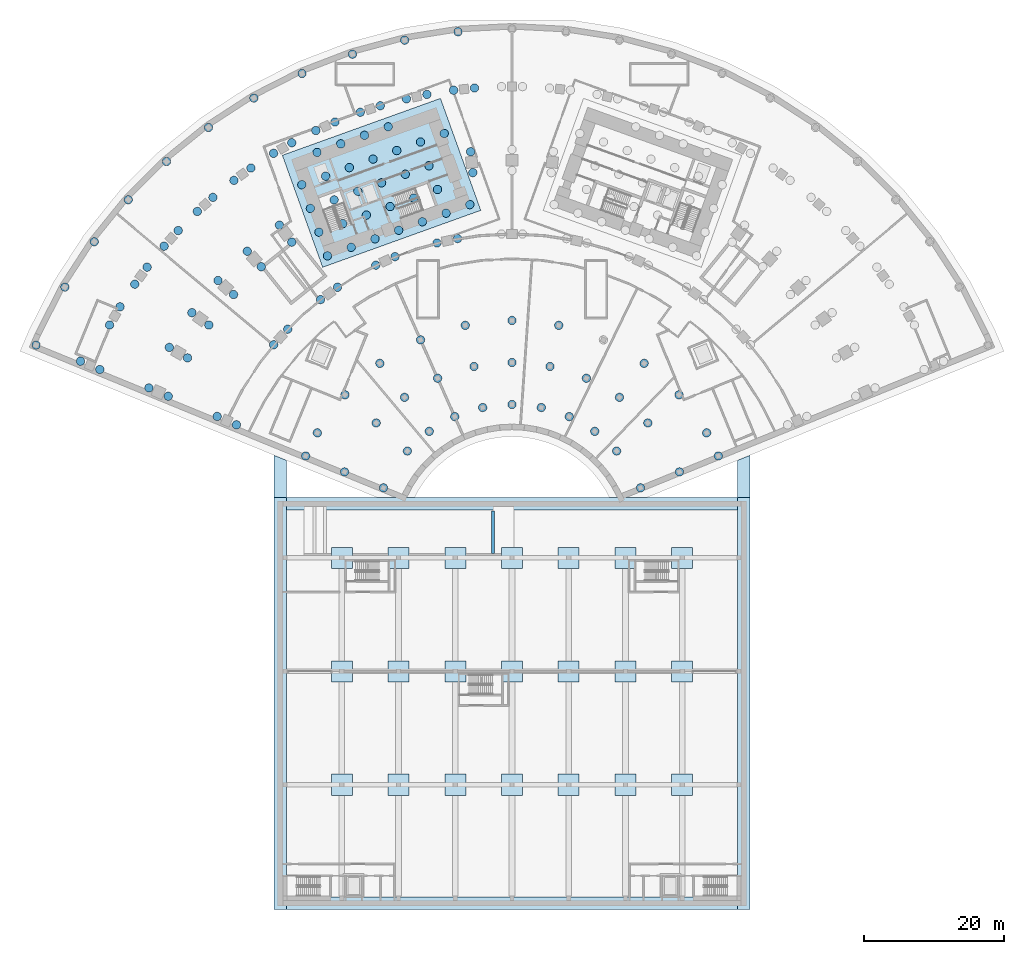
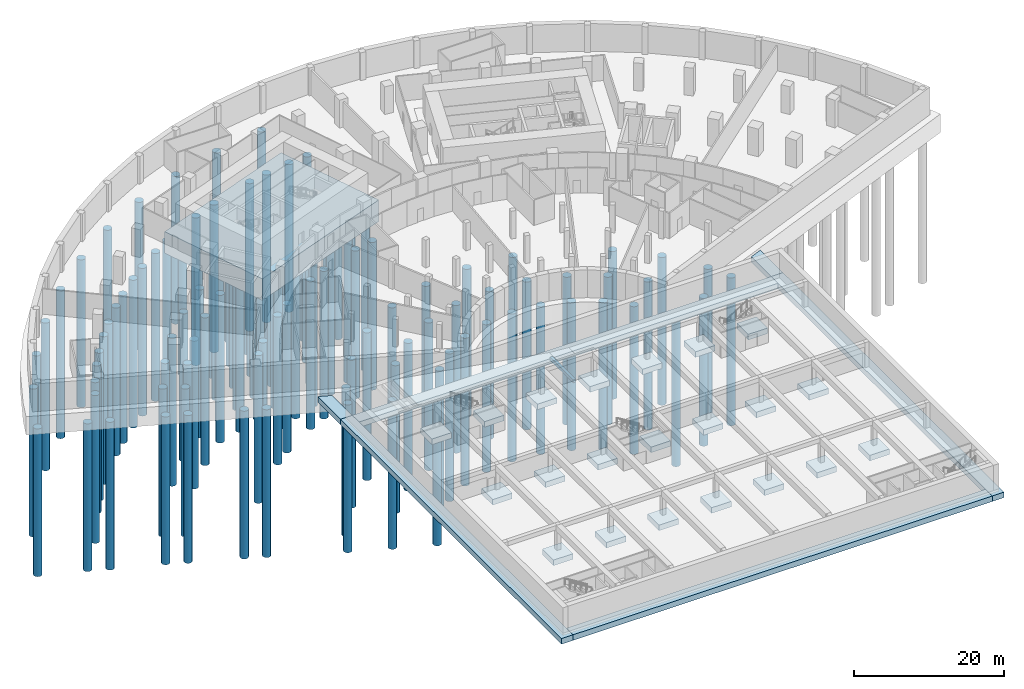
# One storey, part 1 of 25: 121 piles, 29 footings.
"""IFC4 building model written with IfcOpenShell, lengths in metres."""

from ifc_helpers import new_model, si_unit, direction, frame, origin, origin_2d, place, context, subcontext, project, spatial, polyline, circle, outline, extrude, material, layer, layer_set, material_profile, profile_set, type_object, element, save


model = new_model("IFC4")

# Units and contexts
model_context = context("Model", 3, precision=1e-05, world=origin(), true_north=direction((0.0, 1.0)))
body_context = subcontext(model_context, "Body", "Model", "MODEL_VIEW")
ifc_project = project(units=[si_unit("LENGTHUNIT", "METRE"), si_unit("AREAUNIT", "SQUARE_METRE"), si_unit("VOLUMEUNIT", "CUBIC_METRE"), si_unit("PLANEANGLEUNIT", "RADIAN"), si_unit("MASSUNIT", "GRAM", prefix="KILO")], contexts=[model_context])

# Site, building, storey
site_placement = place(None, origin())
site = spatial("IfcSite", under=ifc_project, at=site_placement, CompositionType="ELEMENT")
building_placement = place(site_placement, origin())
building = spatial("IfcBuilding", under=site, at=building_placement, Name="Stone Belt Terrace Tower", CompositionType="ELEMENT")
storey_placement = place(building_placement, frame((0.0, 0.0, -13.5)))
storey = spatial("IfcBuildingStorey", under=building, at=storey_placement, Name="B3", CompositionType="ELEMENT", Elevation=-13.5)

# Piles
ifc_material_1 = material(Name="Concrete B40", Category="concrete")
ifc_material_profile = material_profile(ifc_material_1, circle(Radius=0.60009765625, at=origin_2d()), Name="PILE D1200")
ifc_profile_set = profile_set([ifc_material_profile], Name="Concrete B40")
pile_type = type_object("IfcPileType", Name="Bored pile D1200", PredefinedType="BORED", material=ifc_profile_set)
for number, where, z_axis, x_axis, name in (
    (1, (-18.3544921875, 8.19287109375, -2.89990234375), (0.0, 0.0, -1.0), (1.0, 0.0, 0.0), "Pile 1"),
    (2, (-14.937255859375, 13.449462890625, -2.89990234375), (0.0, 0.0, -1.0), (1.0, 0.0, 0.0), "Pile 2"),
    (3, (-11.814453125, 16.26123046875, -2.89990234375), (0.0, 0.0, -1.0), (1.0, 0.0, 0.0), "Pile 3"),
    (4, (-8.17529296875, 18.3623046875, -2.89990234375), (0.0, 0.0, -1.0), (1.0, 0.0, 0.0), "Pile 4"),
    (5, (-4.178955078125, 19.660888671875, -2.89990234375), (0.0, 0.0, -1.0), (1.0, 0.0, 0.0), "Pile 5"),
    (6, (0.0, 20.10009765625, -2.89990234375), (0.0, 0.0, -1.0), (1.0, 0.0, 0.0), "Pile 6"),
    (7, (4.178955078125, 19.660888671875, -2.89990234375), (0.0, 0.0, -1.0), (1.0, 0.0, 0.0), "Pile 7"),
    (8, (8.17529296875, 18.3623046875, -2.89990234375), (0.0, 0.0, -1.0), (1.0, 0.0, 0.0), "Pile 8"),
    (9, (11.814453125, 16.26123046875, -2.89990234375), (0.0, 0.0, -1.0), (1.0, 0.0, 0.0), "Pile 9"),
    (10, (14.937255859375, 13.449462890625, -2.89990234375), (0.0, 0.0, -1.0), (1.0, 0.0, 0.0), "Pile 10"),
    (11, (18.3544921875, 8.19287109375, -2.89990234375), (0.0, 0.0, -1.0), (1.0, 0.0, 0.0), "Pile 11"),
    (12, (-23.908203125, 10.468994140625, -2.89990234375), (0.0, 0.0, -1.0), (1.0, 0.0, 0.0), "Pile 12"),
    (13, (-19.39599609375, 17.46435546875, -2.89990234375), (0.0, 0.0, -1.0), (1.0, 0.0, 0.0), "Pile 13"),
    (14, (-15.34130859375, 21.115234375, -2.89990234375), (0.0, 0.0, -1.0), (1.0, 0.0, 0.0), "Pile 14"),
    (15, (-10.61572265625, 23.843505859375, -2.89990234375), (0.0, 0.0, -1.0), (1.0, 0.0, 0.0), "Pile 15"),
    (16, (-5.426513671875, 25.52978515625, -2.89990234375), (0.0, 0.0, -1.0), (1.0, 0.0, 0.0), "Pile 16"),
    (17, (0.0, 26.10009765625, -2.89990234375), (0.0, 0.0, -1.0), (1.0, 0.0, 0.0), "Pile 17"),
    (18, (5.426513671875, 25.52978515625, -2.89990234375), (0.0, 0.0, -1.0), (1.0, 0.0, 0.0), "Pile 18"),
    (19, (10.61572265625, 23.843505859375, -2.89990234375), (0.0, 0.0, -1.0), (1.0, 0.0, 0.0), "Pile 19"),
    (20, (15.34130859375, 21.115234375, -2.89990234375), (0.0, 0.0, -1.0), (1.0, 0.0, 0.0), "Pile 20"),
    (21, (19.39599609375, 17.46435546875, -2.89990234375), (0.0, 0.0, -1.0), (1.0, 0.0, 0.0), "Pile 21"),
    (22, (23.908203125, 10.468994140625, -2.89990234375), (0.0, 0.0, -1.0), (1.0, 0.0, 0.0), "Pile 22"),
    (23, (-29.46142578125, 12.7451171875, -2.89990234375), (0.0, 0.0, -1.0), (1.0, 0.0, 0.0), "Pile 23"),
    (24, (-27.79931640625, 16.050048828125, -2.89990234375), (0.0, 0.0, -1.0), (1.0, 0.0, 0.0), "Pile 24"),
    (25, (-23.85498046875, 21.47900390625, -2.89990234375), (0.0, 0.0, -1.0), (1.0, 0.0, 0.0), "Pile 25"),
    (26, (-18.867919921875, 25.969482421875, -2.89990234375), (0.0, 0.0, -1.0), (1.0, 0.0, 0.0), "Pile 26"),
    (27, (-13.05615234375, 29.32470703125, -2.89990234375), (0.0, 0.0, -1.0), (1.0, 0.0, 0.0), "Pile 27"),
    (28, (-6.674072265625, 31.3984375, -2.89990234375), (0.0, 0.0, -1.0), (1.0, 0.0, 0.0), "Pile 28"),
    (29, (0.0, 32.10009765625, -2.89990234375), (0.0, 0.0, -1.0), (1.0, 0.0, 0.0), "Pile 29"),
    (30, (6.674072265625, 31.3984375, -2.89990234375), (0.0, 0.0, -1.0), (1.0, 0.0, 0.0), "Pile 30"),
    (31, (18.867919921875, 25.969482421875, -2.89990234375), (0.0, 0.0, -1.0), (1.0, 0.0, 0.0), "Pile 32"),
    (32, (23.85498046875, 21.47900390625, -2.89990234375), (0.0, 0.0, -1.0), (1.0, 0.0, 0.0), "Pile 33"),
    (33, (27.79931640625, 16.050048828125, -2.89990234375), (0.0, 0.0, -1.0), (1.0, 0.0, 0.0), "Pile 34"),
    (34, (29.46142578125, 12.7451171875, -2.89990234375), (0.0, 0.0, -1.0), (1.0, 0.0, 0.0), "Pile 35"),
    (35, (-39.352783203125, 17.194091796875, -2.89990234375), (0.0, 0.0, -1.0), (1.0, 0.0, 0.0), "Pile 36"),
    (36, (-42.101806640625, 18.395263671875, -2.89990234375), (0.0, 0.0, -1.0), (1.0, 0.0, 0.0), "Pile 37"),
    (37, (-34.03271484375, 28.624755859375, -2.89990234375), (0.0, 0.0, -1.0), (1.0, 0.0, 0.0), "Pile 38"),
    (38, (-32.025390625, 30.854248046875, -2.89990234375), (0.0, 0.0, -1.0), (1.0, 0.0, 0.0), "Pile 39"),
    (39, (-27.337646484375, 35.0751953125, -2.89990234375), (0.0, 0.0, -1.0), (1.0, 0.0, 0.0), "Pile 40"),
    (40, (-24.91064453125, 36.83837890625, -2.89990234375), (0.0, 0.0, -1.0), (1.0, 0.0, 0.0), "Pile 41"),
    (41, (-19.44775390625, 39.992431640625, -2.89990234375), (0.0, 0.0, -1.0), (1.0, 0.0, 0.0), "Pile 42"),
    (42, (-16.70703125, 41.212646484375, -2.89990234375), (0.0, 0.0, -1.0), (1.0, 0.0, 0.0), "Pile 43"),
    (43, (-10.7080078125, 43.161865234375, -2.89990234375), (0.0, 0.0, -1.0), (1.0, 0.0, 0.0), "Pile 44"),
    (44, (-7.7734375, 43.78564453125, -2.89990234375), (0.0, 0.0, -1.0), (1.0, 0.0, 0.0), "Pile 45"),
    (45, (-49.089599609375, 21.27099609375, -2.89990234375), (0.0, 0.0, -1.0), (1.0, 0.0, 0.0), "Pile 58"),
    (46, (-51.84228515625, 22.4638671875, -2.89990234375), (0.0, 0.0, -1.0), (1.0, 0.0, 0.0), "Pile 59"),
    (47, (-46.33251953125, 26.75, -2.89990234375), (0.0, 0.0, -1.0), (1.0, 0.0, 0.0), "Pile 60"),
    (48, (-48.930419921875, 28.25, -2.89990234375), (0.0, 0.0, -1.0), (1.0, 0.0, 0.0), "Pile 61"),
    (49, (-43.282470703125, 31.446533203125, -2.89990234375), (0.0, 0.0, -1.0), (1.0, 0.0, 0.0), "Pile 62"),
    (50, (-45.70947265625, 33.2099609375, -2.89990234375), (0.0, 0.0, -1.0), (1.0, 0.0, 0.0), "Pile 63"),
    (51, (-39.75830078125, 35.798583984375, -2.89990234375), (0.0, 0.0, -1.0), (1.0, 0.0, 0.0), "Pile 64"),
    (52, (-41.98779296875, 37.805908203125, -2.89990234375), (0.0, 0.0, -1.0), (1.0, 0.0, 0.0), "Pile 65"),
    (53, (-35.798583984375, 39.75830078125, -2.89990234375), (0.0, 0.0, -1.0), (1.0, 0.0, 0.0), "Pile 66"),
    (54, (-37.805908203125, 41.98779296875, -2.89990234375), (0.0, 0.0, -1.0), (1.0, 0.0, 0.0), "Pile 67"),
    (55, (-31.446533203125, 43.282470703125, -2.89990234375), (0.0, 0.0, -1.0), (1.0, 0.0, 0.0), "Pile 68"),
    (56, (-33.2099609375, 45.70947265625, -2.89990234375), (0.0, 0.0, -1.0), (1.0, 0.0, 0.0), "Pile 69"),
    (57, (-5.59228515625, 53.206787109375, -2.89990234375), (0.0, 0.0, -1.0), (1.0, 0.0, 0.0), "Pile 70"),
    (58, (-5.906005859375, 56.1904296875, -2.89990234375), (0.0, 0.0, -1.0), (1.0, 0.0, 0.0), "Pile 71"),
    (59, (-58.862060546875, 25.0966796875, -2.89990234375), (0.0, 0.0, -1.0), (1.0, 0.0, 0.0), "Pile 88"),
    (60, (-61.62158203125, 26.273193359375, -2.89990234375), (0.0, 0.0, -1.0), (1.0, 0.0, 0.0), "Pile 89"),
    (61, (-57.465087890625, 31.4453125, -2.89990234375), (0.0, 0.0, -1.0), (1.0, 0.0, 0.0), "Pile 90"),
    (62, (-55.965087890625, 34.04345703125, -2.89990234375), (0.0, 0.0, -1.0), (1.0, 0.0, 0.0), "Pile 91"),
    (63, (-53.86328125, 37.27978515625, -2.89990234375), (0.0, 0.0, -1.0), (1.0, 0.0, 0.0), "Pile 92"),
    (64, (-52.099853515625, 39.706787109375, -2.89990234375), (0.0, 0.0, -1.0), (1.0, 0.0, 0.0), "Pile 93"),
    (65, (-49.67138671875, 42.705810546875, -2.89990234375), (0.0, 0.0, -1.0), (1.0, 0.0, 0.0), "Pile 94"),
    (66, (-47.6640625, 44.935302734375, -2.89990234375), (0.0, 0.0, -1.0), (1.0, 0.0, 0.0), "Pile 95"),
    (67, (-44.935302734375, 47.6640625, -2.89990234375), (0.0, 0.0, -1.0), (1.0, 0.0, 0.0), "Pile 96"),
    (68, (-42.705810546875, 49.67138671875, -2.89990234375), (0.0, 0.0, -1.0), (1.0, 0.0, 0.0), "Pile 97"),
    (69, (-39.706787109375, 52.099853515625, -2.89990234375), (0.0, 0.0, -1.0), (1.0, 0.0, 0.0), "Pile 98"),
    (70, (-37.27978515625, 53.86328125, -2.89990234375), (0.0, 0.0, -1.0), (1.0, 0.0, 0.0), "Pile 99"),
    (71, (-34.04345703125, 55.965087890625, -2.89990234375), (0.0, 0.0, -1.0), (1.0, 0.0, 0.0), "Pile 100"),
    (72, (-31.4453125, 57.465087890625, -2.89990234375), (0.0, 0.0, -1.0), (1.0, 0.0, 0.0), "Pile 101"),
    (73, (-28.007080078125, 59.216796875, -2.89990234375), (0.0, 0.0, -1.0), (1.0, 0.0, 0.0), "Pile 102"),
    (74, (-25.266357421875, 60.437255859375, -2.89990234375), (0.0, 0.0, -1.0), (1.0, 0.0, 0.0), "Pile 103"),
    (75, (-21.663818359375, 61.820068359375, -2.89990234375), (0.0, 0.0, -1.0), (1.0, 0.0, 0.0), "Pile 104"),
    (76, (-18.810546875, 62.7470703125, -2.89990234375), (0.0, 0.0, -1.0), (1.0, 0.0, 0.0), "Pile 105"),
    (77, (-15.0830078125, 63.745849609375, -2.89990234375), (0.0, 0.0, -1.0), (1.0, 0.0, 0.0), "Pile 106"),
    (78, (-12.148681640625, 64.36962890625, -2.89990234375), (0.0, 0.0, -1.0), (1.0, 0.0, 0.0), "Pile 107"),
    (79, (-8.337158203125, 64.973388671875, -2.89990234375), (0.0, 0.0, -1.0), (1.0, 0.0, 0.0), "Pile 108"),
    (80, (-5.353759765625, 65.286865234375, -2.89990234375), (0.0, 0.0, -1.0), (1.0, 0.0, 0.0), "Pile 109"),
    (81, (-67.96337890625, 28.57958984375, -2.89990234375), (0.0, 0.0, -1.0), (1.0, 0.0, 0.0), "Pile 134"),
    (82, (-63.85009765625, 36.864013671875, -2.89990234375), (0.0, 0.0, -1.0), (1.0, 0.0, 0.0), "Pile 135"),
    (83, (-59.647216796875, 43.336181640625, -2.89990234375), (0.0, 0.0, -1.0), (1.0, 0.0, 0.0), "Pile 136"),
    (84, (-54.79052734375, 49.33349609375, -2.89990234375), (0.0, 0.0, -1.0), (1.0, 0.0, 0.0), "Pile 137"),
    (85, (-49.33349609375, 54.79052734375, -2.89990234375), (0.0, 0.0, -1.0), (1.0, 0.0, 0.0), "Pile 138"),
    (86, (-43.336181640625, 59.647216796875, -2.89990234375), (0.0, 0.0, -1.0), (1.0, 0.0, 0.0), "Pile 139"),
    (87, (-36.864013671875, 63.85009765625, -2.89990234375), (0.0, 0.0, -1.0), (1.0, 0.0, 0.0), "Pile 140"),
    (88, (-29.98779296875, 67.353759765625, -2.89990234375), (0.0, 0.0, -1.0), (1.0, 0.0, 0.0), "Pile 141"),
    (89, (-22.783203125, 70.119384765625, -2.89990234375), (0.0, 0.0, -1.0), (1.0, 0.0, 0.0), "Pile 142"),
    (90, (-15.328857421875, 72.11669921875, -2.89990234375), (0.0, 0.0, -1.0), (1.0, 0.0, 0.0), "Pile 143"),
    (91, (-7.706787109375, 73.323974609375, -2.89990234375), (0.0, 0.0, -1.0), (1.0, 0.0, 0.0), "Pile 144"),
    (92, (-26.34814453125, 41.31884765625, -3.39990234375), (0.0, 0.0, -1.0), (1.0, 0.0, 0.0), "Pile 157"),
    (93, (-27.567138671875, 44.706298828125, -3.39990234375), (0.0, 0.0, -1.0), (1.0, 0.0, 0.0), "Pile 158"),
    (94, (-28.786376953125, 48.093505859375, -3.39990234375), (0.0, 0.0, -1.0), (1.0, 0.0, 0.0), "Pile 159"),
    (95, (-30.00537109375, 51.48095703125, -3.39990234375), (0.0, 0.0, -1.0), (1.0, 0.0, 0.0), "Pile 160"),
    (96, (-22.9609375, 42.5380859375, -3.39990234375), (0.0, 0.0, -1.0), (1.0, 0.0, 0.0), "Pile 161"),
    (97, (-24.179931640625, 45.92529296875, -3.39990234375), (0.0, 0.0, -1.0), (1.0, 0.0, 0.0), "Pile 162"),
    (98, (-25.39892578125, 49.3125, -3.39990234375), (0.0, 0.0, -1.0), (1.0, 0.0, 0.0), "Pile 163"),
    (99, (-26.617919921875, 52.699951171875, -3.39990234375), (0.0, 0.0, -1.0), (1.0, 0.0, 0.0), "Pile 164"),
    (100, (-27.837158203125, 56.087158203125, -3.39990234375), (0.0, 0.0, -1.0), (1.0, 0.0, 0.0), "Pile 165"),
    (101, (-19.573486328125, 43.757080078125, -3.39990234375), (0.0, 0.0, -1.0), (1.0, 0.0, 0.0), "Pile 166"),
    (102, (-20.79248046875, 47.144287109375, -3.39990234375), (0.0, 0.0, -1.0), (1.0, 0.0, 0.0), "Pile 167"),
    (103, (-22.01171875, 50.531494140625, -3.39990234375), (0.0, 0.0, -1.0), (1.0, 0.0, 0.0), "Pile 168"),
    (104, (-23.230712890625, 53.9189453125, -3.39990234375), (0.0, 0.0, -1.0), (1.0, 0.0, 0.0), "Pile 169"),
    (105, (-24.44970703125, 57.306396484375, -3.39990234375), (0.0, 0.0, -1.0), (1.0, 0.0, 0.0), "Pile 170"),
    (106, (-16.186279296875, 44.97607421875, -3.39990234375), (0.0, 0.0, -1.0), (1.0, 0.0, 0.0), "Pile 171"),
    (107, (-17.4052734375, 48.36328125, -3.39990234375), (0.0, 0.0, -1.0), (1.0, 0.0, 0.0), "Pile 172"),
    (108, (-18.624267578125, 51.750732421875, -3.39990234375), (0.0, 0.0, -1.0), (1.0, 0.0, 0.0), "Pile 173"),
    (109, (-19.843505859375, 55.137939453125, -3.39990234375), (0.0, 0.0, -1.0), (1.0, 0.0, 0.0), "Pile 174"),
    (110, (-21.0625, 58.525390625, -3.39990234375), (0.0, 0.0, -1.0), (1.0, 0.0, 0.0), "Pile 175"),
    (111, (-12.798828125, 46.195068359375, -3.39990234375), (0.0, 0.0, -1.0), (1.0, 0.0, 0.0), "Pile 176"),
    (112, (-14.01806640625, 49.58251953125, -3.39990234375), (0.0, 0.0, -1.0), (1.0, 0.0, 0.0), "Pile 177"),
    (113, (-15.237060546875, 52.9697265625, -3.39990234375), (0.0, 0.0, -1.0), (1.0, 0.0, 0.0), "Pile 178"),
    (114, (-16.4560546875, 56.357177734375, -3.39990234375), (0.0, 0.0, -1.0), (1.0, 0.0, 0.0), "Pile 179"),
    (115, (-17.675048828125, 59.744384765625, -3.39990234375), (0.0, 0.0, -1.0), (1.0, 0.0, 0.0), "Pile 180"),
    (116, (-9.41162109375, 47.4140625, -3.39990234375), (0.0, 0.0, -1.0), (1.0, 0.0, 0.0), "Pile 181"),
    (117, (-10.630615234375, 50.801513671875, -3.39990234375), (0.0, 0.0, -1.0), (1.0, 0.0, 0.0), "Pile 182"),
    (118, (-11.849609375, 54.188720703125, -3.39990234375), (0.0, 0.0, -1.0), (1.0, 0.0, 0.0), "Pile 183"),
    (119, (-13.06884765625, 57.576171875, -3.39990234375), (0.0, 0.0, -1.0), (1.0, 0.0, 0.0), "Pile 184"),
    (120, (-6.0244140625, 48.63330078125, -3.39990234375), (0.0, 0.0, -1.0), (1.0, 0.0, 0.0), "Pile 185"),
    (121, (-9.681396484375, 58.795166015625, -3.39990234375), (0.0, 0.0, -1.0), (1.0, 0.0, 0.0), "Pile 186"),
):
    element("IfcPile", number, at=place(storey_placement, frame(where, z_axis=z_axis, x_axis=x_axis)), inside=storey, type_object=pile_type, Name=name, PredefinedType="BORED", context=body_context, shape_type="SweptSolid", body=[
        extrude(circle(Radius=0.60009765625, at=origin_2d()), origin(), (0.0, 0.0, 1.0), 24.0),
    ])

# Footings
ifc_material_2 = material(Name="Concrete B30", Category="concrete")
ifc_layer_1 = layer(ifc_material_2, 0.5)
ifc_layer_set_1 = layer_set([ifc_layer_1], Name="Car park ramp bearing pad 400")
footing_type_1 = type_object("IfcFootingType", Name="Car park ramp bearing pad 400", PredefinedType="PAD_FOOTING", material=ifc_layer_set_1)
footing_1_placement = place(storey_placement, frame((0.0, 0.0, -0.550048828125)))
element("IfcFooting", 122, at=footing_1_placement, inside=storey, type_object=footing_type_1, Name="Car park ramp R2 B2 to B3 bearing pad", PredefinedType="PAD_FOOTING", context=body_context, shape_type="SweptSolid", body=[
    extrude(outline(polyline([(-2.89990234375, -1.199951171875), (-2.5, -1.199951171875), (-2.5, 4.898681640625), (-2.89990234375, 4.898681640625), (-2.89990234375, -1.199951171875)])), origin(), (0.0, 0.0, 1.0), 0.5),
])
ifc_layer_2 = layer(ifc_material_1, 3.5)
ifc_layer_set_2 = layer_set([ifc_layer_2], Name="Core pad 3500 B40")
footing_type_2 = type_object("IfcFootingType", Name="Core pad 3500 B40", PredefinedType="PILE_CAP", material=ifc_layer_set_2)
footing_2_placement = place(storey_placement, frame((0.0, 0.0, -3.5)))
element("IfcFooting", 123, at=footing_2_placement, inside=storey, type_object=footing_type_2, Name="Core A pad", PredefinedType="PILE_CAP", context=body_context, shape_type="SweptSolid", body=[
    extrude(outline(polyline([(-27.037109375, 39.689453125), (-4.455078125, 47.81640625), (-10.211669921875, 63.81201171875), (-32.793701171875, 55.68505859375), (-27.037109375, 39.689453125)])), origin(), (0.0, 0.0, 1.0), 3.5),
])
ifc_layer_3 = layer(ifc_material_2, 0.89990234375)
ifc_layer_set_3 = layer_set([ifc_layer_3], Name="Pad footing 3000")
footing_type_3 = type_object("IfcFootingType", Name="Pad footing 3000", PredefinedType="PAD_FOOTING", material=ifc_layer_set_3)
footing_3_placement = place(storey_placement, frame((0.0, 0.0, -1.300048828125)))
element("IfcFooting", 124, at=footing_3_placement, inside=storey, type_object=footing_type_3, Name="Pad footing 2C", PredefinedType="PAD_FOOTING", context=body_context, shape_type="SweptSolid", body=[
    extrude(outline(polyline([(-25.800048828125, -35.699951171875), (-22.800048828125, -35.699951171875), (-22.800048828125, -32.699951171875), (-25.800048828125, -32.699951171875), (-25.800048828125, -35.699951171875)])), origin(), (0.0, 0.0, 1.0), 0.900146484375),
])
footing_4_placement = place(storey_placement, frame((0.0, 0.0, -1.300048828125)))
element("IfcFooting", 125, at=footing_4_placement, inside=storey, type_object=footing_type_3, Name="Pad footing 2E", PredefinedType="PAD_FOOTING", context=body_context, shape_type="SweptSolid", body=[
    extrude(outline(polyline([(-25.800048828125, -19.5), (-22.800048828125, -19.5), (-22.800048828125, -16.5), (-25.800048828125, -16.5), (-25.800048828125, -19.5)])), origin(), (0.0, 0.0, 1.0), 0.900146484375),
])
footing_5_placement = place(storey_placement, frame((0.0, 0.0, -1.300048828125)))
element("IfcFooting", 126, at=footing_5_placement, inside=storey, type_object=footing_type_3, Name="Pad footing 2G", PredefinedType="PAD_FOOTING", context=body_context, shape_type="SweptSolid", body=[
    extrude(outline(polyline([(-25.800048828125, -3.300048828125), (-22.800048828125, -3.300048828125), (-22.800048828125, -0.300048828125), (-25.800048828125, -0.300048828125), (-25.800048828125, -3.300048828125)])), origin(), (0.0, 0.0, 1.0), 0.900146484375),
])
footing_6_placement = place(storey_placement, frame((0.0, 0.0, -1.300048828125)))
element("IfcFooting", 127, at=footing_6_placement, inside=storey, type_object=footing_type_3, Name="Pad footing 3C", PredefinedType="PAD_FOOTING", context=body_context, shape_type="SweptSolid", body=[
    extrude(outline(polyline([(-17.699951171875, -35.699951171875), (-14.699951171875, -35.699951171875), (-14.699951171875, -32.699951171875), (-17.699951171875, -32.699951171875), (-17.699951171875, -35.699951171875)])), origin(), (0.0, 0.0, 1.0), 0.900146484375),
])
footing_7_placement = place(storey_placement, frame((0.0, 0.0, -1.300048828125)))
element("IfcFooting", 128, at=footing_7_placement, inside=storey, type_object=footing_type_3, Name="Pad footing 3E", PredefinedType="PAD_FOOTING", context=body_context, shape_type="SweptSolid", body=[
    extrude(outline(polyline([(-17.699951171875, -19.5), (-14.699951171875, -19.5), (-14.699951171875, -16.5), (-17.699951171875, -16.5), (-17.699951171875, -19.5)])), origin(), (0.0, 0.0, 1.0), 0.900146484375),
])
footing_8_placement = place(storey_placement, frame((0.0, 0.0, -1.300048828125)))
element("IfcFooting", 129, at=footing_8_placement, inside=storey, type_object=footing_type_3, Name="Pad footing 3G", PredefinedType="PAD_FOOTING", context=body_context, shape_type="SweptSolid", body=[
    extrude(outline(polyline([(-17.699951171875, -3.300048828125), (-14.699951171875, -3.300048828125), (-14.699951171875, -0.300048828125), (-17.699951171875, -0.300048828125), (-17.699951171875, -3.300048828125)])), origin(), (0.0, 0.0, 1.0), 0.900146484375),
])
footing_9_placement = place(storey_placement, frame((0.0, 0.0, -1.300048828125)))
element("IfcFooting", 130, at=footing_9_placement, inside=storey, type_object=footing_type_3, Name="Pad footing 4C", PredefinedType="PAD_FOOTING", context=body_context, shape_type="SweptSolid", body=[
    extrude(outline(polyline([(-9.60009765625, -35.699951171875), (-6.60009765625, -35.699951171875), (-6.60009765625, -32.699951171875), (-9.60009765625, -32.699951171875), (-9.60009765625, -35.699951171875)])), origin(), (0.0, 0.0, 1.0), 0.900146484375),
])
footing_10_placement = place(storey_placement, frame((0.0, 0.0, -1.300048828125)))
element("IfcFooting", 131, at=footing_10_placement, inside=storey, type_object=footing_type_3, Name="Pad footing 4E", PredefinedType="PAD_FOOTING", context=body_context, shape_type="SweptSolid", body=[
    extrude(outline(polyline([(-9.60009765625, -19.5), (-6.60009765625, -19.5), (-6.60009765625, -16.5), (-9.60009765625, -16.5), (-9.60009765625, -19.5)])), origin(), (0.0, 0.0, 1.0), 0.900146484375),
])
footing_11_placement = place(storey_placement, frame((0.0, 0.0, -1.300048828125)))
element("IfcFooting", 132, at=footing_11_placement, inside=storey, type_object=footing_type_3, Name="Pad footing 4G", PredefinedType="PAD_FOOTING", context=body_context, shape_type="SweptSolid", body=[
    extrude(outline(polyline([(-9.60009765625, -3.300048828125), (-6.60009765625, -3.300048828125), (-6.60009765625, -0.300048828125), (-9.60009765625, -0.300048828125), (-9.60009765625, -3.300048828125)])), origin(), (0.0, 0.0, 1.0), 0.900146484375),
])
footing_12_placement = place(storey_placement, frame((0.0, 0.0, -1.300048828125)))
element("IfcFooting", 133, at=footing_12_placement, inside=storey, type_object=footing_type_3, Name="Pad footing 5C", PredefinedType="PAD_FOOTING", context=body_context, shape_type="SweptSolid", body=[
    extrude(outline(polyline([(-1.5, -35.699951171875), (1.5, -35.699951171875), (1.5, -32.699951171875), (-1.5, -32.699951171875), (-1.5, -35.699951171875)])), origin(), (0.0, 0.0, 1.0), 0.900146484375),
])
footing_13_placement = place(storey_placement, frame((0.0, 0.0, -1.300048828125)))
element("IfcFooting", 134, at=footing_13_placement, inside=storey, type_object=footing_type_3, Name="Pad footing 5E", PredefinedType="PAD_FOOTING", context=body_context, shape_type="SweptSolid", body=[
    extrude(outline(polyline([(-1.5, -19.5), (1.5, -19.5), (1.5, -16.5), (-1.5, -16.5), (-1.5, -19.5)])), origin(), (0.0, 0.0, 1.0), 0.900146484375),
])
footing_14_placement = place(storey_placement, frame((0.0, 0.0, -1.300048828125)))
element("IfcFooting", 135, at=footing_14_placement, inside=storey, type_object=footing_type_3, Name="Pad footing 5G", PredefinedType="PAD_FOOTING", context=body_context, shape_type="SweptSolid", body=[
    extrude(outline(polyline([(-1.5, -3.300048828125), (1.5, -3.300048828125), (1.5, -0.300048828125), (-1.5, -0.300048828125), (-1.5, -3.300048828125)])), origin(), (0.0, 0.0, 1.0), 0.900146484375),
])
footing_15_placement = place(storey_placement, frame((0.0, 0.0, -1.300048828125)))
element("IfcFooting", 136, at=footing_15_placement, inside=storey, type_object=footing_type_3, Name="Pad footing 6C", PredefinedType="PAD_FOOTING", context=body_context, shape_type="SweptSolid", body=[
    extrude(outline(polyline([(6.60009765625, -35.699951171875), (9.60009765625, -35.699951171875), (9.60009765625, -32.699951171875), (6.60009765625, -32.699951171875), (6.60009765625, -35.699951171875)])), origin(), (0.0, 0.0, 1.0), 0.900146484375),
])
footing_16_placement = place(storey_placement, frame((0.0, 0.0, -1.300048828125)))
element("IfcFooting", 137, at=footing_16_placement, inside=storey, type_object=footing_type_3, Name="Pad footing 6E", PredefinedType="PAD_FOOTING", context=body_context, shape_type="SweptSolid", body=[
    extrude(outline(polyline([(6.60009765625, -19.5), (9.60009765625, -19.5), (9.60009765625, -16.5), (6.60009765625, -16.5), (6.60009765625, -19.5)])), origin(), (0.0, 0.0, 1.0), 0.900146484375),
])
footing_17_placement = place(storey_placement, frame((0.0, 0.0, -1.300048828125)))
element("IfcFooting", 138, at=footing_17_placement, inside=storey, type_object=footing_type_3, Name="Pad footing 6G", PredefinedType="PAD_FOOTING", context=body_context, shape_type="SweptSolid", body=[
    extrude(outline(polyline([(6.60009765625, -3.300048828125), (9.60009765625, -3.300048828125), (9.60009765625, -0.300048828125), (6.60009765625, -0.300048828125), (6.60009765625, -3.300048828125)])), origin(), (0.0, 0.0, 1.0), 0.900146484375),
])
footing_18_placement = place(storey_placement, frame((0.0, 0.0, -1.300048828125)))
element("IfcFooting", 139, at=footing_18_placement, inside=storey, type_object=footing_type_3, Name="Pad footing 7C", PredefinedType="PAD_FOOTING", context=body_context, shape_type="SweptSolid", body=[
    extrude(outline(polyline([(14.699951171875, -35.699951171875), (17.699951171875, -35.699951171875), (17.699951171875, -32.699951171875), (14.699951171875, -32.699951171875), (14.699951171875, -35.699951171875)])), origin(), (0.0, 0.0, 1.0), 0.900146484375),
])
footing_19_placement = place(storey_placement, frame((0.0, 0.0, -1.300048828125)))
element("IfcFooting", 140, at=footing_19_placement, inside=storey, type_object=footing_type_3, Name="Pad footing 7E", PredefinedType="PAD_FOOTING", context=body_context, shape_type="SweptSolid", body=[
    extrude(outline(polyline([(14.699951171875, -19.5), (17.699951171875, -19.5), (17.699951171875, -16.5), (14.699951171875, -16.5), (14.699951171875, -19.5)])), origin(), (0.0, 0.0, 1.0), 0.900146484375),
])
footing_20_placement = place(storey_placement, frame((0.0, 0.0, -1.300048828125)))
element("IfcFooting", 141, at=footing_20_placement, inside=storey, type_object=footing_type_3, Name="Pad footing 7G", PredefinedType="PAD_FOOTING", context=body_context, shape_type="SweptSolid", body=[
    extrude(outline(polyline([(14.699951171875, -3.300048828125), (17.699951171875, -3.300048828125), (17.699951171875, -0.300048828125), (14.699951171875, -0.300048828125), (14.699951171875, -3.300048828125)])), origin(), (0.0, 0.0, 1.0), 0.900146484375),
])
footing_21_placement = place(storey_placement, frame((0.0, 0.0, -1.300048828125)))
element("IfcFooting", 142, at=footing_21_placement, inside=storey, type_object=footing_type_3, Name="Pad footing 8C", PredefinedType="PAD_FOOTING", context=body_context, shape_type="SweptSolid", body=[
    extrude(outline(polyline([(22.800048828125, -35.699951171875), (25.800048828125, -35.699951171875), (25.800048828125, -32.699951171875), (22.800048828125, -32.699951171875), (22.800048828125, -35.699951171875)])), origin(), (0.0, 0.0, 1.0), 0.900146484375),
])
footing_22_placement = place(storey_placement, frame((0.0, 0.0, -1.300048828125)))
element("IfcFooting", 143, at=footing_22_placement, inside=storey, type_object=footing_type_3, Name="Pad footing 8E", PredefinedType="PAD_FOOTING", context=body_context, shape_type="SweptSolid", body=[
    extrude(outline(polyline([(22.800048828125, -19.5), (25.800048828125, -19.5), (25.800048828125, -16.5), (22.800048828125, -16.5), (22.800048828125, -19.5)])), origin(), (0.0, 0.0, 1.0), 0.900146484375),
])
footing_23_placement = place(storey_placement, frame((0.0, 0.0, -1.300048828125)))
element("IfcFooting", 144, at=footing_23_placement, inside=storey, type_object=footing_type_3, Name="Pad footing 8G", PredefinedType="PAD_FOOTING", context=body_context, shape_type="SweptSolid", body=[
    extrude(outline(polyline([(22.800048828125, -3.300048828125), (25.800048828125, -3.300048828125), (25.800048828125, -0.300048828125), (22.800048828125, -0.300048828125), (22.800048828125, -3.300048828125)])), origin(), (0.0, 0.0, 1.0), 0.900146484375),
])
ifc_layer_4 = layer(ifc_material_2, 0.89990234375)
ifc_layer_set_4 = layer_set([ifc_layer_4], Name="Strip footing 1800")
footing_type_4 = type_object("IfcFootingType", Name="Strip footing 1800", PredefinedType="STRIP_FOOTING", material=ifc_layer_set_4)
footing_24_placement = place(storey_placement, frame((0.0, 0.0, -1.300048828125)))
element("IfcFooting", 145, at=footing_24_placement, inside=storey, type_object=footing_type_4, Name="Perimeter wall footing", PredefinedType="STRIP_FOOTING", context=body_context, shape_type="SweptSolid", body=[
    extrude(outline(polyline([(-34.0, -52.0), (-32.199951171875, -52.0), (-32.199951171875, 6.800048828125), (-34.0, 6.800048828125), (-34.0, -52.0)])), origin(), (0.0, 0.0, 1.0), 0.900146484375),
])
footing_25_placement = place(storey_placement, frame((0.0, 0.0, -1.300048828125)))
element("IfcFooting", 146, at=footing_25_placement, inside=storey, type_object=footing_type_4, Name="Perimeter wall footing", PredefinedType="STRIP_FOOTING", context=body_context, shape_type="SweptSolid", body=[
    extrude(outline(polyline([(32.199951171875, -52.0), (34.0, -52.0), (34.0, 6.800048828125), (32.199951171875, 6.800048828125), (32.199951171875, -52.0)])), origin(), (0.0, 0.0, 1.0), 0.900146484375),
])
footing_26_placement = place(storey_placement, frame((0.0, 0.0, -1.300048828125)))
element("IfcFooting", 147, at=footing_26_placement, inside=storey, type_object=footing_type_4, Name="Perimeter wall footing", PredefinedType="STRIP_FOOTING", context=body_context, shape_type="SweptSolid", body=[
    extrude(outline(polyline([(-32.199951171875, -52.0), (32.199951171875, -52.0), (32.199951171875, -50.199951171875), (-32.199951171875, -50.199951171875), (-32.199951171875, -52.0)])), origin(), (0.0, 0.0, 1.0), 0.900146484375),
])
footing_27_placement = place(storey_placement, frame((0.0, 0.0, -1.300048828125)))
element("IfcFooting", 148, at=footing_27_placement, inside=storey, type_object=footing_type_4, Name="Perimeter wall footing", PredefinedType="STRIP_FOOTING", context=body_context, shape_type="SweptSolid", body=[
    extrude(outline(polyline([(-32.199951171875, 5.0), (32.199951171875, 5.0), (32.199951171875, 6.800048828125), (-32.199951171875, 6.800048828125), (-32.199951171875, 5.0)])), origin(), (0.0, 0.0, 1.0), 0.900146484375),
])
ifc_layer_5 = layer(ifc_material_2, 0.89990234375)
ifc_layer_set_5 = layer_set([ifc_layer_5], Name="Wall footing link 1800 B30")
footing_type_5 = type_object("IfcFootingType", Name="Wall footing link 1800 B30", PredefinedType="STRIP_FOOTING", material=ifc_layer_set_5)
footing_28_placement = place(storey_placement, frame((0.0, 0.0, -1.300048828125)))
element("IfcFooting", 149, at=footing_28_placement, inside=storey, type_object=footing_type_5, Name="Perimeter wall footing link", PredefinedType="STRIP_FOOTING", context=body_context, shape_type="SweptSolid", body=[
    extrude(outline(polyline([(-32.199951171875, 6.800048828125), (-34.0, 6.800048828125), (-34.0, 12.8544921875), (-32.199951171875, 12.11669921875), (-32.199951171875, 6.800048828125)])), origin(), (0.0, 0.0, 1.0), 0.900146484375),
])
footing_29_placement = place(storey_placement, frame((0.0, 0.0, -1.300048828125)))
element("IfcFooting", 150, at=footing_29_placement, inside=storey, type_object=footing_type_5, Name="Perimeter wall footing link", PredefinedType="STRIP_FOOTING", context=body_context, shape_type="SweptSolid", body=[
    extrude(outline(polyline([(34.0, 6.800048828125), (32.199951171875, 6.800048828125), (32.199951171875, 12.11669921875), (34.0, 12.8544921875), (34.0, 6.800048828125)])), origin(), (0.0, 0.0, 1.0), 0.900146484375),
])

save(model, "model.ifc")
